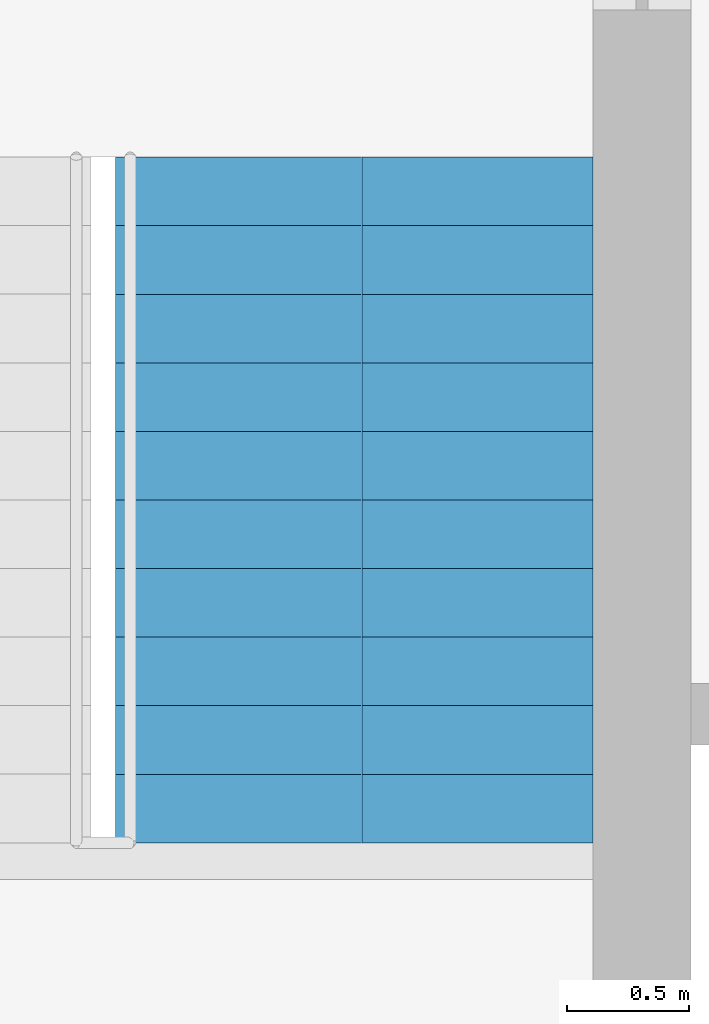
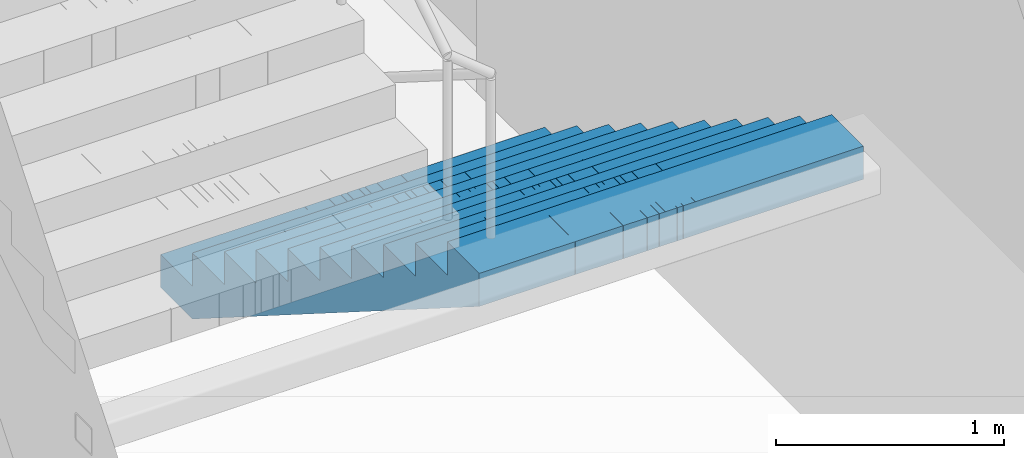
# One storey, part 19 of 20: 1 stair flight, 1 element without a shape of its own.
"""IFC4 building model written with IfcOpenShell, lengths in metres."""

from ifc_helpers import new_model, si_unit, direction, frame, origin, place, context, subcontext, project, spatial, polyline, outline, extrude, material, type_object, element, aggregate, save


model = new_model("IFC4")

# Units and contexts
model_context = context("Model", 3, precision=1e-05, world=origin(), true_north=direction((0.0, 1.0)))
body_context = subcontext(model_context, "Body", "Model", "MODEL_VIEW")
ifc_project = project(units=[si_unit("LENGTHUNIT", "METRE"), si_unit("AREAUNIT", "SQUARE_METRE"), si_unit("VOLUMEUNIT", "CUBIC_METRE"), si_unit("PLANEANGLEUNIT", "RADIAN"), si_unit("MASSUNIT", "GRAM", prefix="KILO")], contexts=[model_context])

# Site, building, storey
site_placement = place(None, origin())
site = spatial("IfcSite", under=ifc_project, at=site_placement, CompositionType="ELEMENT")
building_placement = place(site_placement, origin())
building = spatial("IfcBuilding", under=site, at=building_placement, Name="Mizan Broadcast Tower", CompositionType="ELEMENT")
storey_placement = place(building_placement, frame((0.0, 0.0, 135.89990234375)))
storey = spatial("IfcBuildingStorey", under=building, at=storey_placement, Name="L30", CompositionType="ELEMENT", Elevation=135.89990234375)

# Stair, stair flight
ifc_material_1 = material(Name="Concrete C40/50", Category="concrete")
stair_type = type_object("IfcStairType", Name="EXIT STAIR", PredefinedType="HALF_TURN_STAIR", material=ifc_material_1)
stair_placement = place(storey_placement, origin())
stair = element("IfcStair", 1, at=stair_placement, inside=storey, type_object=stair_type, Name="Stair B L30", PredefinedType="HALF_TURN_STAIR")
ifc_material_2 = material(Name="Concrete C40/50", Category="concrete")
stair_flight_type = type_object("IfcStairFlightType", Name="EXIT STAIR FLIGHT", PredefinedType="STRAIGHT", material=ifc_material_2)
stair_flight_placement = place(storey_placement, frame((1.02490234375, 7.89990234375, 0.0), z_axis=(0.0, 0.0, 1.0), x_axis=(0.0, -1.0, 0.0)))
stair_flight = element("IfcStairFlight", 2, at=stair_flight_placement, type_object=stair_flight_type, Name="B flight 1", NumberOfRisers=11, NumberOfTreads=10, PredefinedType="STRAIGHT", RiserHeight=0.177272727, TreadLength=0.28, context=body_context, shape_type="SweptSolid", body=[
    extrude(outline(polyline([(0.0, 0.0), (0.0, 0.17724609375), (0.280029296875, 0.17724609375), (0.280029296875, 0.3544921875), (0.56005859375, 0.3544921875), (0.56005859375, 0.53173828125), (0.840087890625, 0.53173828125), (0.840087890625, 0.708984375), (1.1201171875, 0.708984375), (1.1201171875, 0.886474609375), (1.39990234375, 0.886474609375), (1.39990234375, 1.063720703125), (1.679931640625, 1.063720703125), (1.679931640625, 1.240966796875), (1.9599609375, 1.240966796875), (1.9599609375, 1.418212890625), (2.239990234375, 1.418212890625), (2.239990234375, 1.595458984375), (2.52001953125, 1.595458984375), (2.52001953125, 1.772705078125), (2.800048828125, 1.772705078125), (2.800048828125, 1.949951171875), (2.800048828125, 1.59521484375), (0.2802734375, 0.0), (0.0, 0.0)])), frame((0.0, 0.97509765625, 0.0), z_axis=(0.0, -1.0, 0.0), x_axis=(1.0, 0.0, 0.0)), (0.0, 0.0, 1.0), 0.4873046875),
    extrude(outline(polyline([(0.0, 0.0), (0.0, 0.17724609375), (0.280029296875, 0.17724609375), (0.280029296875, 0.3544921875), (0.56005859375, 0.3544921875), (0.56005859375, 0.53173828125), (0.840087890625, 0.53173828125), (0.840087890625, 0.708984375), (1.1201171875, 0.708984375), (1.1201171875, 0.886474609375), (1.39990234375, 0.886474609375), (1.39990234375, 1.063720703125), (1.679931640625, 1.063720703125), (1.679931640625, 1.240966796875), (1.9599609375, 1.240966796875), (1.9599609375, 1.418212890625), (2.239990234375, 1.418212890625), (2.239990234375, 1.595458984375), (2.52001953125, 1.595458984375), (2.52001953125, 1.772705078125), (2.800048828125, 1.772705078125), (2.800048828125, 1.949951171875), (2.800048828125, 1.59521484375), (0.2802734375, 0.0), (0.0, 0.0)])), frame((0.0, 0.4873046875, 0.0), z_axis=(0.0, -1.0, 0.0), x_axis=(1.0, 0.0, 0.0)), (0.0, 0.0, 1.0), 0.2431640625),
    extrude(outline(polyline([(0.0, 0.0), (0.0, 0.17724609375), (0.280029296875, 0.17724609375), (0.280029296875, 0.3544921875), (0.56005859375, 0.3544921875), (0.56005859375, 0.53173828125), (0.840087890625, 0.53173828125), (0.840087890625, 0.708984375), (1.1201171875, 0.708984375), (1.1201171875, 0.886474609375), (1.39990234375, 0.886474609375), (1.39990234375, 1.063720703125), (1.679931640625, 1.063720703125), (1.679931640625, 1.240966796875), (1.9599609375, 1.240966796875), (1.9599609375, 1.418212890625), (2.239990234375, 1.418212890625), (2.239990234375, 1.595458984375), (2.52001953125, 1.595458984375), (2.52001953125, 1.772705078125), (2.800048828125, 1.772705078125), (2.800048828125, 1.949951171875), (2.800048828125, 1.59521484375), (0.2802734375, 0.0), (0.0, 0.0)])), frame((0.0, 0.24365234375, 0.0), z_axis=(0.0, -1.0, 0.0), x_axis=(1.0, 0.0, 0.0)), (0.0, 0.0, 1.0), 0.121337890625),
    extrude(outline(polyline([(0.0, 0.0), (0.0, 0.17724609375), (0.280029296875, 0.17724609375), (0.280029296875, 0.3544921875), (0.56005859375, 0.3544921875), (0.56005859375, 0.53173828125), (0.840087890625, 0.53173828125), (0.840087890625, 0.708984375), (1.1201171875, 0.708984375), (1.1201171875, 0.886474609375), (1.39990234375, 0.886474609375), (1.39990234375, 1.063720703125), (1.679931640625, 1.063720703125), (1.679931640625, 1.240966796875), (1.9599609375, 1.240966796875), (1.9599609375, 1.418212890625), (2.239990234375, 1.418212890625), (2.239990234375, 1.595458984375), (2.52001953125, 1.595458984375), (2.52001953125, 1.772705078125), (2.800048828125, 1.772705078125), (2.800048828125, 1.949951171875), (2.800048828125, 1.59521484375), (0.2802734375, 0.0), (0.0, 0.0)])), frame((0.0, 0.121826171875, 0.0), z_axis=(0.0, -1.0, 0.0), x_axis=(1.0, 0.0, 0.0)), (0.0, 0.0, 1.0), 0.060546875),
    extrude(outline(polyline([(0.0, 0.0), (0.0, 0.17724609375), (0.280029296875, 0.17724609375), (0.280029296875, 0.3544921875), (0.56005859375, 0.3544921875), (0.56005859375, 0.53173828125), (0.840087890625, 0.53173828125), (0.840087890625, 0.708984375), (1.1201171875, 0.708984375), (1.1201171875, 0.886474609375), (1.39990234375, 0.886474609375), (1.39990234375, 1.063720703125), (1.679931640625, 1.063720703125), (1.679931640625, 1.240966796875), (1.9599609375, 1.240966796875), (1.9599609375, 1.418212890625), (2.239990234375, 1.418212890625), (2.239990234375, 1.595458984375), (2.52001953125, 1.595458984375), (2.52001953125, 1.772705078125), (2.800048828125, 1.772705078125), (2.800048828125, 1.949951171875), (2.800048828125, 1.59521484375), (0.2802734375, 0.0), (0.0, 0.0)])), frame((0.0, 0.060791015625, 0.0), z_axis=(0.0, -1.0, 0.0), x_axis=(1.0, 0.0, 0.0)), (0.0, 0.0, 1.0), 0.030029296875),
    extrude(outline(polyline([(0.0, 0.0), (0.0, 0.17724609375), (0.280029296875, 0.17724609375), (0.280029296875, 0.3544921875), (0.56005859375, 0.3544921875), (0.56005859375, 0.53173828125), (0.840087890625, 0.53173828125), (0.840087890625, 0.708984375), (1.1201171875, 0.708984375), (1.1201171875, 0.886474609375), (1.39990234375, 0.886474609375), (1.39990234375, 1.063720703125), (1.679931640625, 1.063720703125), (1.679931640625, 1.240966796875), (1.9599609375, 1.240966796875), (1.9599609375, 1.418212890625), (2.239990234375, 1.418212890625), (2.239990234375, 1.595458984375), (2.52001953125, 1.595458984375), (2.52001953125, 1.772705078125), (2.800048828125, 1.772705078125), (2.800048828125, 1.949951171875), (2.800048828125, 1.59521484375), (0.2802734375, 0.0), (0.0, 0.0)])), frame((0.0, 0.0302734375, 0.0), z_axis=(0.0, -1.0, 0.0), x_axis=(1.0, 0.0, 0.0)), (0.0, 0.0, 1.0), 0.060302734375),
    extrude(outline(polyline([(0.0, 0.0), (0.0, 0.17724609375), (0.280029296875, 0.17724609375), (0.280029296875, 0.3544921875), (0.56005859375, 0.3544921875), (0.56005859375, 0.53173828125), (0.840087890625, 0.53173828125), (0.840087890625, 0.708984375), (1.1201171875, 0.708984375), (1.1201171875, 0.886474609375), (1.39990234375, 0.886474609375), (1.39990234375, 1.063720703125), (1.679931640625, 1.063720703125), (1.679931640625, 1.240966796875), (1.9599609375, 1.240966796875), (1.9599609375, 1.418212890625), (2.239990234375, 1.418212890625), (2.239990234375, 1.595458984375), (2.52001953125, 1.595458984375), (2.52001953125, 1.772705078125), (2.800048828125, 1.772705078125), (2.800048828125, 1.949951171875), (2.800048828125, 1.59521484375), (0.2802734375, 0.0), (0.0, 0.0)])), frame((0.0, -0.030517578125, 0.0), z_axis=(0.0, -1.0, 0.0), x_axis=(1.0, 0.0, 0.0)), (0.0, 0.0, 1.0), 0.030029296875),
    extrude(outline(polyline([(0.0, 0.0), (0.0, 0.17724609375), (0.280029296875, 0.17724609375), (0.280029296875, 0.3544921875), (0.56005859375, 0.3544921875), (0.56005859375, 0.53173828125), (0.840087890625, 0.53173828125), (0.840087890625, 0.708984375), (1.1201171875, 0.708984375), (1.1201171875, 0.886474609375), (1.39990234375, 0.886474609375), (1.39990234375, 1.063720703125), (1.679931640625, 1.063720703125), (1.679931640625, 1.240966796875), (1.9599609375, 1.240966796875), (1.9599609375, 1.418212890625), (2.239990234375, 1.418212890625), (2.239990234375, 1.595458984375), (2.52001953125, 1.595458984375), (2.52001953125, 1.772705078125), (2.800048828125, 1.772705078125), (2.800048828125, 1.949951171875), (2.800048828125, 1.59521484375), (0.2802734375, 0.0), (0.0, 0.0)])), frame((0.0, -0.06103515625, 0.0), z_axis=(0.0, -1.0, 0.0), x_axis=(1.0, 0.0, 0.0)), (0.0, 0.0, 1.0), 0.060546875),
    extrude(outline(polyline([(0.0, 0.0), (0.0, 0.17724609375), (0.280029296875, 0.17724609375), (0.280029296875, 0.3544921875), (0.56005859375, 0.3544921875), (0.56005859375, 0.53173828125), (0.840087890625, 0.53173828125), (0.840087890625, 0.708984375), (1.1201171875, 0.708984375), (1.1201171875, 0.886474609375), (1.39990234375, 0.886474609375), (1.39990234375, 1.063720703125), (1.679931640625, 1.063720703125), (1.679931640625, 1.240966796875), (1.9599609375, 1.240966796875), (1.9599609375, 1.418212890625), (2.239990234375, 1.418212890625), (2.239990234375, 1.595458984375), (2.52001953125, 1.595458984375), (2.52001953125, 1.772705078125), (2.800048828125, 1.772705078125), (2.800048828125, 1.949951171875), (2.800048828125, 1.59521484375), (0.2802734375, 0.0), (0.0, 0.0)])), frame((0.0, -0.1220703125, 0.0), z_axis=(0.0, -1.0, 0.0), x_axis=(1.0, 0.0, 0.0)), (0.0, 0.0, 1.0), 0.121337890625),
    extrude(outline(polyline([(0.0, 0.0), (0.0, 0.17724609375), (0.280029296875, 0.17724609375), (0.280029296875, 0.3544921875), (0.56005859375, 0.3544921875), (0.56005859375, 0.53173828125), (0.840087890625, 0.53173828125), (0.840087890625, 0.708984375), (1.1201171875, 0.708984375), (1.1201171875, 0.886474609375), (1.39990234375, 0.886474609375), (1.39990234375, 1.063720703125), (1.679931640625, 1.063720703125), (1.679931640625, 1.240966796875), (1.9599609375, 1.240966796875), (1.9599609375, 1.418212890625), (2.239990234375, 1.418212890625), (2.239990234375, 1.595458984375), (2.52001953125, 1.595458984375), (2.52001953125, 1.772705078125), (2.800048828125, 1.772705078125), (2.800048828125, 1.949951171875), (2.800048828125, 1.59521484375), (0.2802734375, 0.0), (0.0, 0.0)])), frame((0.0, -0.243896484375, 0.0), z_axis=(0.0, -1.0, 0.0), x_axis=(1.0, 0.0, 0.0)), (0.0, 0.0, 1.0), 0.2431640625),
    extrude(outline(polyline([(0.0, 0.0), (0.0, 0.17724609375), (0.280029296875, 0.17724609375), (0.280029296875, 0.3544921875), (0.56005859375, 0.3544921875), (0.56005859375, 0.53173828125), (0.840087890625, 0.53173828125), (0.840087890625, 0.708984375), (1.1201171875, 0.708984375), (1.1201171875, 0.886474609375), (1.39990234375, 0.886474609375), (1.39990234375, 1.063720703125), (1.679931640625, 1.063720703125), (1.679931640625, 1.240966796875), (1.9599609375, 1.240966796875), (1.9599609375, 1.418212890625), (2.239990234375, 1.418212890625), (2.239990234375, 1.595458984375), (2.52001953125, 1.595458984375), (2.52001953125, 1.772705078125), (2.800048828125, 1.772705078125), (2.800048828125, 1.949951171875), (2.800048828125, 1.59521484375), (0.2802734375, 0.0), (0.0, 0.0)])), frame((0.0, -0.487548828125, 0.0), z_axis=(0.0, -1.0, 0.0), x_axis=(1.0, 0.0, 0.0)), (0.0, 0.0, 1.0), 0.4873046875),
])
aggregate(stair, [stair_flight])

save(model, "model.ifc")
